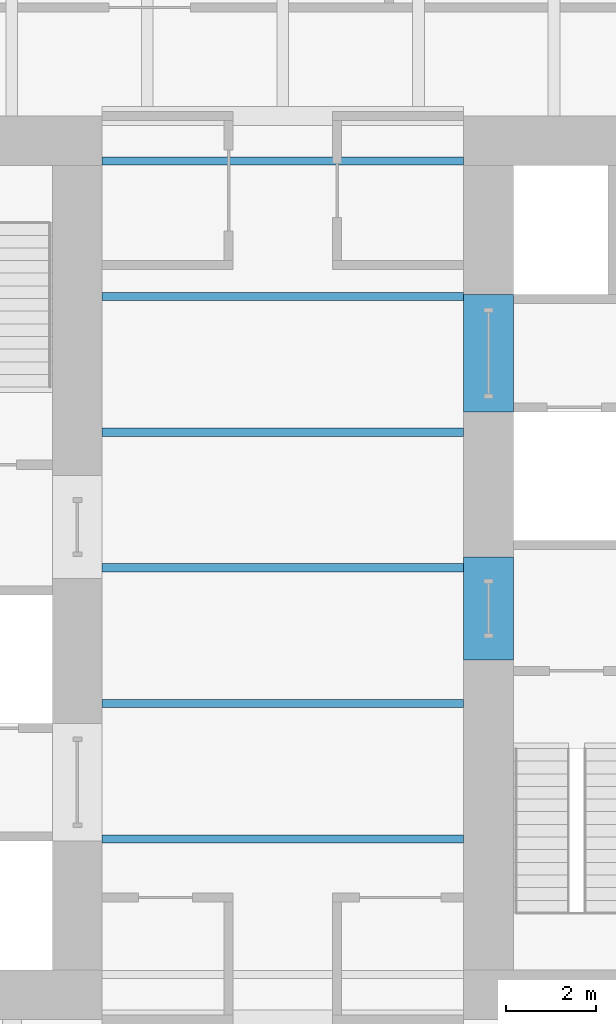
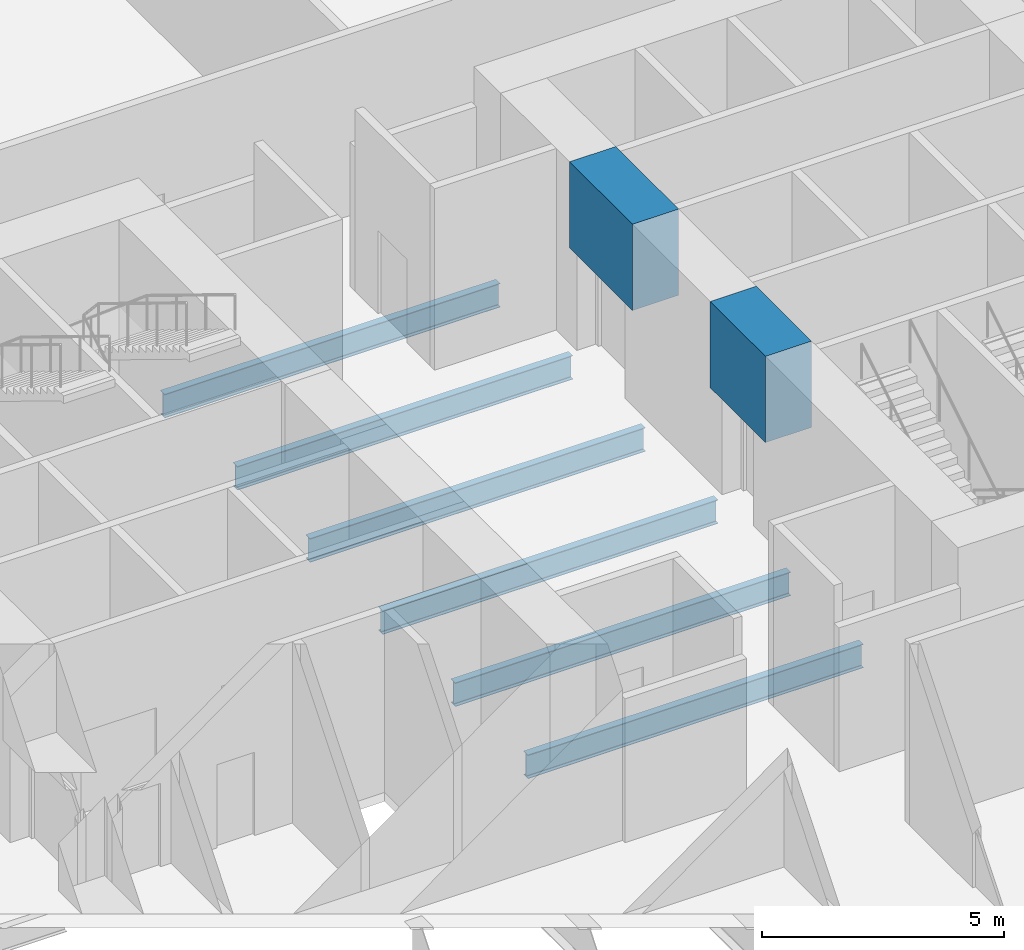
# One storey, part 10 of 26: 8 beams.
"""IFC4 building model written with IfcOpenShell, lengths in metres."""

import ifcopenshell
import ifcopenshell.guid

model = None  # the IFC model being written
_history = None  # IfcOwnerHistory: only IFC2X3 demands one
_inside = {}  # id of a spatial element -> (the spatial element, [elements in it])
_under = {}  # id of a project, library or spatial element -> (it, [spatial elements below it])
_declared = {}  # id of a project -> (the project, [libraries it declares])
_typed = {}  # id of a type object -> (the type object, [elements of that type])
_made_of = {}  # id of a material, layer set ... -> (it, [elements and type objects made of it])


def new_model(schema):
    """Start an empty IFC model of exactly this schema.

    Asked for "IFC4X3", IfcOpenShell would pick the latest addendum, in which some entities
    have other attributes; the version numbers below select the first issue.
    IFC2X3 requires an IfcOwnerHistory on every rooted entity: one is made here for all.
    """
    global model, _history
    if schema == "IFC4X3":
        model = ifcopenshell.file(schema_version=(4, 3, 0, 0))
    else:
        model = ifcopenshell.file(schema=schema)
    _inside.clear()
    _under.clear()
    _declared.clear()
    _typed.clear()
    _made_of.clear()
    _history = None
    if model.schema == "IFC2X3":
        org = make("IfcOrganization", Name="unknown")
        user = make(
            "IfcPersonAndOrganization",
            ThePerson=make("IfcPerson", FamilyName="unknown"),
            TheOrganization=org,
        )
        app = make(
            "IfcApplication",
            ApplicationDeveloper=org,
            Version="unknown",
            ApplicationFullName="unknown",
            ApplicationIdentifier="unknown",
        )
        _history = make(
            "IfcOwnerHistory",
            OwningUser=user,
            OwningApplication=app,
            ChangeAction="ADDED",
            CreationDate=0,
        )
    return model


def make(cls, **values):
    """One entity of the class cls with the attributes given. An attribute that is None is left unset."""
    return model.create_entity(
        cls, **{name: value for name, value in values.items() if value is not None}
    )


def rooted(cls, **values):
    """An entity with a GlobalId (a new one), such as an element, a storey or a relation."""
    return make(cls, GlobalId=ifcopenshell.guid.new(), OwnerHistory=_history, **values)


def si_unit(unit_type, name, prefix=None):
    """IfcSIUnit, for example si_unit("LENGTHUNIT", "METRE", prefix="MILLI")."""
    return make("IfcSIUnit", UnitType=unit_type, Prefix=prefix, Name=name)


def assignment(units):
    """IfcUnitAssignment: the units of a project."""
    return None if units is None else make("IfcUnitAssignment", Units=units)


def point(xyz):
    """IfcCartesianPoint."""
    return None if xyz is None else make("IfcCartesianPoint", Coordinates=xyz)


def direction(xyz):
    """IfcDirection."""
    return None if xyz is None else make("IfcDirection", DirectionRatios=xyz)


def frame(location, z_axis=None, x_axis=None):
    """IfcAxis2Placement3D, a coordinate frame: its origin and axes. An axis left out is left unset."""
    return make(
        "IfcAxis2Placement3D",
        Location=point(location),
        Axis=direction(z_axis),
        RefDirection=direction(x_axis),
    )


def frame_2d(location, x_axis=None):
    """IfcAxis2Placement2D, a coordinate frame in the plane: its origin and x axis."""
    return make(
        "IfcAxis2Placement2D", Location=point(location), RefDirection=direction(x_axis)
    )


def origin():
    """The frame at (0, 0, 0) with its axes left unset."""
    return frame((0.0, 0.0, 0.0))


def origin_2d():
    """The frame at (0, 0) in the plane with its x axis left unset."""
    return frame_2d((0.0, 0.0))


def place(relative_to, where):
    """IfcLocalPlacement: puts the frame where relative to a parent placement (None: the world)."""
    return make(
        "IfcLocalPlacement", PlacementRelTo=relative_to, RelativePlacement=where
    )


def context(
    kind, dimensions, precision=None, world=None, true_north=None, identifier=None
):
    """IfcGeometricRepresentationContext, for example the 3D "Model" context."""
    return make(
        "IfcGeometricRepresentationContext",
        ContextIdentifier=identifier,
        ContextType=kind,
        CoordinateSpaceDimension=dimensions,
        Precision=precision,
        WorldCoordinateSystem=world,
        TrueNorth=true_north,
    )


def subcontext(parent, identifier, kind, view, scale=None):
    """IfcGeometricRepresentationSubContext, for example "Body" below "Model"."""
    return make(
        "IfcGeometricRepresentationSubContext",
        ContextIdentifier=identifier,
        ContextType=kind,
        ParentContext=parent,
        TargetScale=scale,
        TargetView=view,
    )


def project(units=None, contexts=None):
    """IfcProject with its units and contexts."""
    return rooted(
        "IfcProject",
        Name="project",
        RepresentationContexts=contexts,
        UnitsInContext=assignment(units),
    )


def spatial(cls, under=None, at=None, **own):
    """A site, building, storey or space (cls), placed at a placement, below another one or the project."""
    s = rooted(cls, ObjectPlacement=at, **own)
    if under is not None:
        _under.setdefault(under.id(), (under, []))[1].append(s)
    return s


def profile(cls, at=None, kind="AREA", **sizes):
    """A parametric profile (cls). Its sizes go by their IFC names, for example OverallWidth=200.0."""
    return make(cls, ProfileType=kind, Position=at, **sizes)


def rectangle(**sizes):
    """IfcRectangleProfileDef."""
    return profile("IfcRectangleProfileDef", **sizes)


def i_section(**sizes):
    """IfcIShapeProfileDef."""
    return profile("IfcIShapeProfileDef", **sizes)


def extrude(swept, where, along, depth):
    """IfcExtrudedAreaSolid: the profile swept, set in the frame where, extruded along a direction by depth."""
    return make(
        "IfcExtrudedAreaSolid",
        SweptArea=swept,
        Position=where,
        ExtrudedDirection=direction(along),
        Depth=depth,
    )


def shape(context_of_items, identifier, shape_type, items):
    """IfcShapeRepresentation: the items that make up one representation, for example the "Body"."""
    return make(
        "IfcShapeRepresentation",
        ContextOfItems=context_of_items,
        RepresentationIdentifier=identifier,
        RepresentationType=shape_type,
        Items=items,
    )


def material(Name=None, Category=None):
    """IfcMaterial."""
    return make("IfcMaterial", Name=Name, Category=Category)


def material_profile(
    of_material, cross_section, Name=None, Category=None, Priority=None
):
    """IfcMaterialProfile: a cross section and its material."""
    return make(
        "IfcMaterialProfile",
        Name=Name,
        Material=of_material,
        Profile=cross_section,
        Priority=Priority,
        Category=Category,
    )


def profile_set(profiles, Name=None, composite=None):
    """IfcMaterialProfileSet."""
    return make(
        "IfcMaterialProfileSet",
        Name=Name,
        MaterialProfiles=profiles,
        CompositeProfile=composite,
    )


def made_of(thing, what):
    """Note that an element or type object is made of a material, layer set ...; save() writes the relation."""
    if what is not None:
        _made_of.setdefault(what.id(), (what, []))[1].append(thing)
    return thing


def type_object(cls, material=None, **own):
    """A type object (cls), such as IfcWallType, which elements share."""
    return made_of(rooted(cls, **own), material)


def element(
    cls,
    number,
    at=None,
    inside=None,
    cuts=None,
    type_object=None,
    material=None,
    context=None,
    identifier="Body",
    shape_type=None,
    held_by="IfcProductDefinitionShape",
    body=None,
    shapes=None,
    **own,
):
    """One element of the class cls, such as IfcWall. Its Tag is "e" and its number.

    at: its placement. inside: the storey or other place that contains it. cuts: it is an
    opening in that element (IfcRelVoidsElement). A single representation is given by context,
    identifier, shape_type and body (its items); several are given by shapes. held_by: the class
    of the entity that holds the representations. save() writes the other relations.
    """
    e = rooted(cls, Tag="e%d" % number, ObjectPlacement=at, **own)
    if body is not None:
        shapes = [shape(context, identifier, shape_type, body)]
    if shapes is not None:
        e.Representation = make(held_by, Representations=shapes)
    if inside is not None:
        _inside.setdefault(inside.id(), (inside, []))[1].append(e)
    if cuts is not None:
        rooted(
            "IfcRelVoidsElement", RelatingBuildingElement=cuts, RelatedOpeningElement=e
        )
    if type_object is not None:
        _typed.setdefault(type_object.id(), (type_object, []))[1].append(e)
    return made_of(e, material)


def aggregate(whole, parts):
    """IfcRelAggregates: a whole, such as a stair, and the parts it consists of."""
    return rooted("IfcRelAggregates", RelatingObject=whole, RelatedObjects=parts)


def save(model, path):
    """Write the relations noted so far, then the file.

    IfcRelAggregates (storeys below a building ...), IfcRelContainedInSpatialStructure (elements
    in a storey), IfcRelDefinesByType, IfcRelAssociatesMaterial and IfcRelDeclares: one each for
    every whole, place, type object, material and project.
    """
    for whole, parts in _under.values():
        aggregate(whole, parts)
    for where, things in _inside.values():
        rooted(
            "IfcRelContainedInSpatialStructure",
            RelatedElements=things,
            RelatingStructure=where,
        )
    for kind, things in _typed.values():
        rooted("IfcRelDefinesByType", RelatedObjects=things, RelatingType=kind)
    for what, things in _made_of.values():
        rooted("IfcRelAssociatesMaterial", RelatedObjects=things, RelatingMaterial=what)
    for by, libraries in _declared.values():
        rooted("IfcRelDeclares", RelatingContext=by, RelatedDefinitions=libraries)
    model.write(path)


model = new_model("IFC4")

# Units and contexts
model_context = context("Model", 3, precision=1e-05, world=origin(), true_north=direction((0.0, 1.0)))
body_context = subcontext(model_context, "Body", "Model", "MODEL_VIEW")
ifc_project = project(units=[si_unit("LENGTHUNIT", "METRE"), si_unit("AREAUNIT", "SQUARE_METRE"), si_unit("VOLUMEUNIT", "CUBIC_METRE"), si_unit("PLANEANGLEUNIT", "RADIAN"), si_unit("MASSUNIT", "GRAM", prefix="KILO")], contexts=[model_context])

# Site, building, storey
site_placement = place(None, origin())
site = spatial("IfcSite", under=ifc_project, at=site_placement, CompositionType="ELEMENT")
building_placement = place(site_placement, origin())
building = spatial("IfcBuilding", under=site, at=building_placement, Name="Millrace Tower", CompositionType="ELEMENT")
storey_placement = place(building_placement, frame((0.0, 0.0, 11.300048828125)))
storey = spatial("IfcBuildingStorey", under=building, at=storey_placement, Name="L03", CompositionType="ELEMENT", Elevation=11.300048828125)

# Beams
ifc_material_1 = material(Name="Concrete C80", Category="concrete")
ifc_material_profile_1 = material_profile(ifc_material_1, rectangle(XDim=1.10009765625, YDim=2.175048828125, at=origin_2d()))
ifc_profile_set_1 = profile_set([ifc_material_profile_1], Name="Concrete C80")
beam_type_1 = type_object("IfcBeamType", Name="Coupling beam 1100 x 2175 Concrete C80, 1300 opening", PredefinedType="BEAM", material=ifc_profile_set_1)
beam_1_placement = place(storey_placement, frame((4.550048828125, 0.241943359375, 3.487548828125), z_axis=(0.0, -1.0, 0.0), x_axis=(1.0, 0.0, 0.0)))
element("IfcBeam", 1, at=beam_1_placement, inside=storey, type_object=beam_type_1, Name="Coupling beam E L03", PredefinedType="BEAM", context=body_context, shape_type="SweptSolid", body=[
    extrude(rectangle(XDim=1.10009765625, YDim=2.175048828125, at=origin_2d()), origin(), (0.0, 0.0, 1.0), 2.283935546875),
])
ifc_material_2 = material(Name="Concrete C80", Category="concrete")
ifc_material_profile_2 = material_profile(ifc_material_2, rectangle(XDim=1.10009765625, YDim=2.175048828125, at=origin_2d()))
ifc_profile_set_2 = profile_set([ifc_material_profile_2], Name="Concrete C80")
beam_type_2 = type_object("IfcBeamType", Name="Coupling beam 1100 x 2175 Concrete C80, 2000 opening", PredefinedType="BEAM", material=ifc_profile_set_2)
beam_2_placement = place(storey_placement, frame((4.550048828125, 6.050048828125, 3.487548828125), z_axis=(0.0, -1.0, 0.0), x_axis=(1.0, 0.0, 0.0)))
element("IfcBeam", 2, at=beam_2_placement, inside=storey, type_object=beam_type_2, Name="Coupling beam E L03", PredefinedType="BEAM", context=body_context, shape_type="SweptSolid", body=[
    extrude(rectangle(XDim=1.10009765625, YDim=2.175048828125, at=origin_2d()), origin(), (0.0, 0.0, 1.0), 2.60009765625),
])
ifc_material_3 = material(Name="Steel ASTM A992 Grade 50", Category="steel")
ifc_material_profile_3 = material_profile(ifc_material_3, i_section(OverallWidth=0.177978515625, OverallDepth=0.599365234375, WebThickness=0.010009765625, FlangeThickness=0.012939453125, FilletRadius=0.012939453125, at=origin_2d()))
ifc_profile_set_3 = profile_set([ifc_material_profile_3], Name="Steel ASTM A992 Grade 50")
beam_type_3 = type_object("IfcBeamType", Name="Floor beam W24x55", PredefinedType="JOIST", material=ifc_profile_set_3)
for number, where, z_axis, x_axis, name in (
    (3, (-4.0, -6.0, -0.524658203125), (1.0, 0.0, 0.0), (0.0, 1.0, 0.0), "BM-A-L03-S1-S020"),
    (4, (-4.0, -3.0, -0.524658203125), (1.0, 0.0, 0.0), (0.0, 1.0, 0.0), "BM-A-L03-S1-S023"),
    (5, (-4.0, 0.0, -0.524658203125), (1.0, 0.0, 0.0), (0.0, 1.0, 0.0), "BM-A-L03-S1-S026"),
    (6, (-4.0, 3.0, -0.524658203125), (1.0, 0.0, 0.0), (0.0, 1.0, 0.0), "BM-A-L03-S1-S029"),
    (7, (-4.0, 6.0, -0.524658203125), (1.0, 0.0, 0.0), (0.0, 1.0, 0.0), "BM-A-L03-S1-S032"),
    (8, (-4.0, 9.0, -0.524658203125), (1.0, 0.0, 0.0), (0.0, 1.0, 0.0), "BM-A-L03-S1-S035"),
):
    element("IfcBeam", number, at=place(storey_placement, frame(where, z_axis=z_axis, x_axis=x_axis)), inside=storey, type_object=beam_type_3, Name=name, PredefinedType="JOIST", context=body_context, shape_type="SweptSolid", body=[
        extrude(i_section(OverallWidth=0.177978515625, OverallDepth=0.599365234375, WebThickness=0.010009765625, FlangeThickness=0.012939453125, FilletRadius=0.012939453125, at=origin_2d()), origin(), (0.0, 0.0, 1.0), 8.0),
    ])

save(model, "model.ifc")
